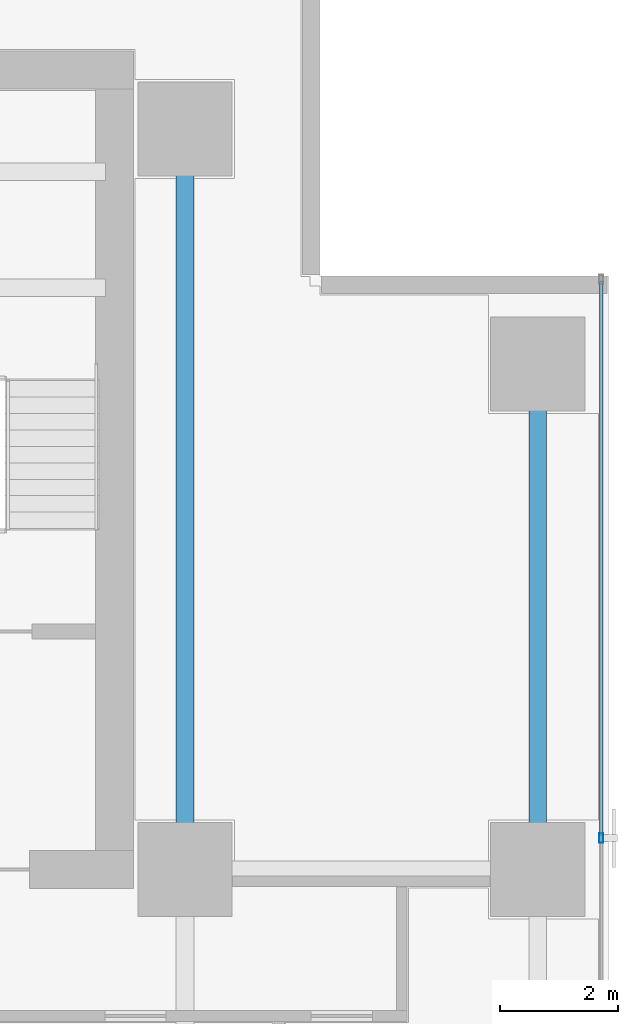
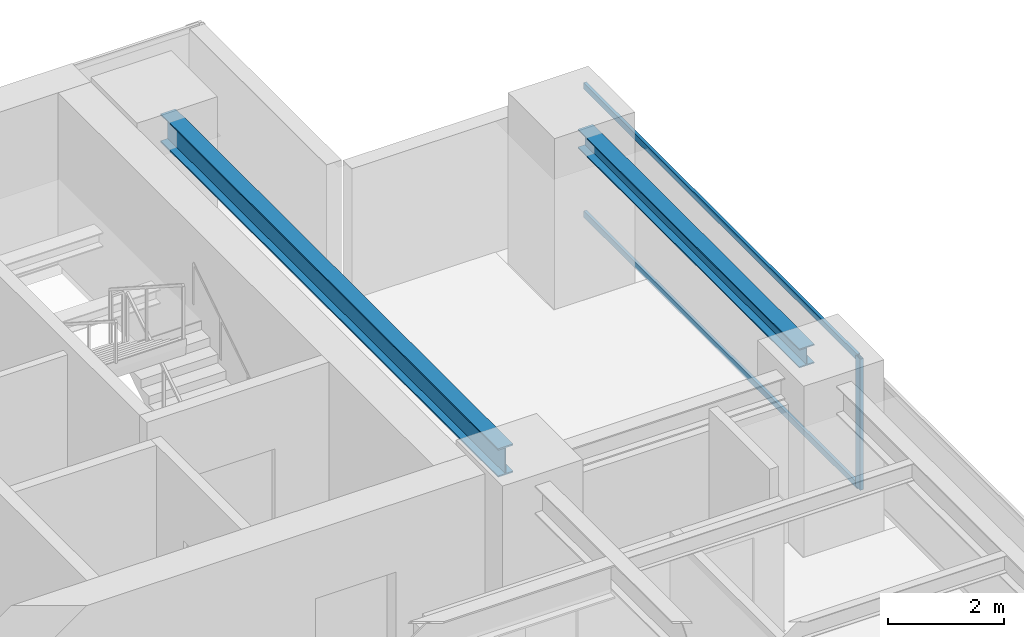
# One storey, part 18 of 28: 3 members, 2 beams, 1 element without a shape of its own.
"""IFC4 building model written with IfcOpenShell, lengths in metres."""

import ifcopenshell
import ifcopenshell.guid

model = None  # the IFC model being written
_history = None  # IfcOwnerHistory: only IFC2X3 demands one
_inside = {}  # id of a spatial element -> (the spatial element, [elements in it])
_under = {}  # id of a project, library or spatial element -> (it, [spatial elements below it])
_declared = {}  # id of a project -> (the project, [libraries it declares])
_typed = {}  # id of a type object -> (the type object, [elements of that type])
_made_of = {}  # id of a material, layer set ... -> (it, [elements and type objects made of it])


def new_model(schema):
    """Start an empty IFC model of exactly this schema.

    Asked for "IFC4X3", IfcOpenShell would pick the latest addendum, in which some entities
    have other attributes; the version numbers below select the first issue.
    IFC2X3 requires an IfcOwnerHistory on every rooted entity: one is made here for all.
    """
    global model, _history
    if schema == "IFC4X3":
        model = ifcopenshell.file(schema_version=(4, 3, 0, 0))
    else:
        model = ifcopenshell.file(schema=schema)
    _inside.clear()
    _under.clear()
    _declared.clear()
    _typed.clear()
    _made_of.clear()
    _history = None
    if model.schema == "IFC2X3":
        org = make("IfcOrganization", Name="unknown")
        user = make(
            "IfcPersonAndOrganization",
            ThePerson=make("IfcPerson", FamilyName="unknown"),
            TheOrganization=org,
        )
        app = make(
            "IfcApplication",
            ApplicationDeveloper=org,
            Version="unknown",
            ApplicationFullName="unknown",
            ApplicationIdentifier="unknown",
        )
        _history = make(
            "IfcOwnerHistory",
            OwningUser=user,
            OwningApplication=app,
            ChangeAction="ADDED",
            CreationDate=0,
        )
    return model


def make(cls, **values):
    """One entity of the class cls with the attributes given. An attribute that is None is left unset."""
    return model.create_entity(
        cls, **{name: value for name, value in values.items() if value is not None}
    )


def rooted(cls, **values):
    """An entity with a GlobalId (a new one), such as an element, a storey or a relation."""
    return make(cls, GlobalId=ifcopenshell.guid.new(), OwnerHistory=_history, **values)


def si_unit(unit_type, name, prefix=None):
    """IfcSIUnit, for example si_unit("LENGTHUNIT", "METRE", prefix="MILLI")."""
    return make("IfcSIUnit", UnitType=unit_type, Prefix=prefix, Name=name)


def assignment(units):
    """IfcUnitAssignment: the units of a project."""
    return None if units is None else make("IfcUnitAssignment", Units=units)


def point(xyz):
    """IfcCartesianPoint."""
    return None if xyz is None else make("IfcCartesianPoint", Coordinates=xyz)


def direction(xyz):
    """IfcDirection."""
    return None if xyz is None else make("IfcDirection", DirectionRatios=xyz)


def frame(location, z_axis=None, x_axis=None):
    """IfcAxis2Placement3D, a coordinate frame: its origin and axes. An axis left out is left unset."""
    return make(
        "IfcAxis2Placement3D",
        Location=point(location),
        Axis=direction(z_axis),
        RefDirection=direction(x_axis),
    )


def frame_2d(location, x_axis=None):
    """IfcAxis2Placement2D, a coordinate frame in the plane: its origin and x axis."""
    return make(
        "IfcAxis2Placement2D", Location=point(location), RefDirection=direction(x_axis)
    )


def origin():
    """The frame at (0, 0, 0) with its axes left unset."""
    return frame((0.0, 0.0, 0.0))


def origin_2d():
    """The frame at (0, 0) in the plane with its x axis left unset."""
    return frame_2d((0.0, 0.0))


def place(relative_to, where):
    """IfcLocalPlacement: puts the frame where relative to a parent placement (None: the world)."""
    return make(
        "IfcLocalPlacement", PlacementRelTo=relative_to, RelativePlacement=where
    )


def context(
    kind, dimensions, precision=None, world=None, true_north=None, identifier=None
):
    """IfcGeometricRepresentationContext, for example the 3D "Model" context."""
    return make(
        "IfcGeometricRepresentationContext",
        ContextIdentifier=identifier,
        ContextType=kind,
        CoordinateSpaceDimension=dimensions,
        Precision=precision,
        WorldCoordinateSystem=world,
        TrueNorth=true_north,
    )


def subcontext(parent, identifier, kind, view, scale=None):
    """IfcGeometricRepresentationSubContext, for example "Body" below "Model"."""
    return make(
        "IfcGeometricRepresentationSubContext",
        ContextIdentifier=identifier,
        ContextType=kind,
        ParentContext=parent,
        TargetScale=scale,
        TargetView=view,
    )


def project(units=None, contexts=None):
    """IfcProject with its units and contexts."""
    return rooted(
        "IfcProject",
        Name="project",
        RepresentationContexts=contexts,
        UnitsInContext=assignment(units),
    )


def spatial(cls, under=None, at=None, **own):
    """A site, building, storey or space (cls), placed at a placement, below another one or the project."""
    s = rooted(cls, ObjectPlacement=at, **own)
    if under is not None:
        _under.setdefault(under.id(), (under, []))[1].append(s)
    return s


def profile(cls, at=None, kind="AREA", **sizes):
    """A parametric profile (cls). Its sizes go by their IFC names, for example OverallWidth=200.0."""
    return make(cls, ProfileType=kind, Position=at, **sizes)


def hollow_rectangle(**sizes):
    """IfcRectangleHollowProfileDef."""
    return profile("IfcRectangleHollowProfileDef", **sizes)


def i_section(**sizes):
    """IfcIShapeProfileDef."""
    return profile("IfcIShapeProfileDef", **sizes)


def extrude(swept, where, along, depth):
    """IfcExtrudedAreaSolid: the profile swept, set in the frame where, extruded along a direction by depth."""
    return make(
        "IfcExtrudedAreaSolid",
        SweptArea=swept,
        Position=where,
        ExtrudedDirection=direction(along),
        Depth=depth,
    )


def shape(context_of_items, identifier, shape_type, items):
    """IfcShapeRepresentation: the items that make up one representation, for example the "Body"."""
    return make(
        "IfcShapeRepresentation",
        ContextOfItems=context_of_items,
        RepresentationIdentifier=identifier,
        RepresentationType=shape_type,
        Items=items,
    )


def source(mapping_origin, context_of_items, identifier, shape_type, items):
    """IfcRepresentationMap: a shape defined once, which mapped items show again and again."""
    return make(
        "IfcRepresentationMap",
        MappingOrigin=mapping_origin,
        MappedRepresentation=shape(context_of_items, identifier, shape_type, items),
    )


def transform(
    local_origin,
    x_axis=None,
    y_axis=None,
    z_axis=None,
    scale=None,
    scale2=None,
    scale3=None,
    uniform=True,
):
    """IfcCartesianTransformationOperator3D, or its non-uniform kind. x_axis, y_axis, z_axis: its Axis1, 2, 3."""
    if uniform:
        return make(
            "IfcCartesianTransformationOperator3D",
            Axis1=direction(x_axis),
            Axis2=direction(y_axis),
            LocalOrigin=point(local_origin),
            Scale=scale,
            Axis3=direction(z_axis),
        )
    return make(
        "IfcCartesianTransformationOperator3DnonUniform",
        Axis1=direction(x_axis),
        Axis2=direction(y_axis),
        LocalOrigin=point(local_origin),
        Scale=scale,
        Axis3=direction(z_axis),
        Scale2=scale2,
        Scale3=scale3,
    )


def mapped(mapping_source, mapping_target):
    """IfcMappedItem: shows the shape of a source again, moved by a transform."""
    return make(
        "IfcMappedItem", MappingSource=mapping_source, MappingTarget=mapping_target
    )


def material(Name=None, Category=None):
    """IfcMaterial."""
    return make("IfcMaterial", Name=Name, Category=Category)


def layer(
    of_material, thickness, ventilated=None, Name=None, Category=None, Priority=None
):
    """IfcMaterialLayer: one layer of a wall or slab, of a material (None: an air gap)."""
    return make(
        "IfcMaterialLayer",
        Material=of_material,
        LayerThickness=thickness,
        IsVentilated=ventilated,
        Name=Name,
        Category=Category,
        Priority=Priority,
    )


def layer_set(layers, Name=None):
    """IfcMaterialLayerSet."""
    return make("IfcMaterialLayerSet", MaterialLayers=layers, LayerSetName=Name)


def material_profile(
    of_material, cross_section, Name=None, Category=None, Priority=None
):
    """IfcMaterialProfile: a cross section and its material."""
    return make(
        "IfcMaterialProfile",
        Name=Name,
        Material=of_material,
        Profile=cross_section,
        Priority=Priority,
        Category=Category,
    )


def profile_set(profiles, Name=None, composite=None):
    """IfcMaterialProfileSet."""
    return make(
        "IfcMaterialProfileSet",
        Name=Name,
        MaterialProfiles=profiles,
        CompositeProfile=composite,
    )


def made_of(thing, what):
    """Note that an element or type object is made of a material, layer set ...; save() writes the relation."""
    if what is not None:
        _made_of.setdefault(what.id(), (what, []))[1].append(thing)
    return thing


def type_object(cls, material=None, **own):
    """A type object (cls), such as IfcWallType, which elements share."""
    return made_of(rooted(cls, **own), material)


def element(
    cls,
    number,
    at=None,
    inside=None,
    cuts=None,
    type_object=None,
    material=None,
    context=None,
    identifier="Body",
    shape_type=None,
    held_by="IfcProductDefinitionShape",
    body=None,
    shapes=None,
    **own,
):
    """One element of the class cls, such as IfcWall. Its Tag is "e" and its number.

    at: its placement. inside: the storey or other place that contains it. cuts: it is an
    opening in that element (IfcRelVoidsElement). A single representation is given by context,
    identifier, shape_type and body (its items); several are given by shapes. held_by: the class
    of the entity that holds the representations. save() writes the other relations.
    """
    e = rooted(cls, Tag="e%d" % number, ObjectPlacement=at, **own)
    if body is not None:
        shapes = [shape(context, identifier, shape_type, body)]
    if shapes is not None:
        e.Representation = make(held_by, Representations=shapes)
    if inside is not None:
        _inside.setdefault(inside.id(), (inside, []))[1].append(e)
    if cuts is not None:
        rooted(
            "IfcRelVoidsElement", RelatingBuildingElement=cuts, RelatedOpeningElement=e
        )
    if type_object is not None:
        _typed.setdefault(type_object.id(), (type_object, []))[1].append(e)
    return made_of(e, material)


def aggregate(whole, parts):
    """IfcRelAggregates: a whole, such as a stair, and the parts it consists of."""
    return rooted("IfcRelAggregates", RelatingObject=whole, RelatedObjects=parts)


def save(model, path):
    """Write the relations noted so far, then the file.

    IfcRelAggregates (storeys below a building ...), IfcRelContainedInSpatialStructure (elements
    in a storey), IfcRelDefinesByType, IfcRelAssociatesMaterial and IfcRelDeclares: one each for
    every whole, place, type object, material and project.
    """
    for whole, parts in _under.values():
        aggregate(whole, parts)
    for where, things in _inside.values():
        rooted(
            "IfcRelContainedInSpatialStructure",
            RelatedElements=things,
            RelatingStructure=where,
        )
    for kind, things in _typed.values():
        rooted("IfcRelDefinesByType", RelatedObjects=things, RelatingType=kind)
    for what, things in _made_of.values():
        rooted("IfcRelAssociatesMaterial", RelatedObjects=things, RelatingMaterial=what)
    for by, libraries in _declared.values():
        rooted("IfcRelDeclares", RelatingContext=by, RelatedDefinitions=libraries)
    model.write(path)


model = new_model("IFC4")

# Units and contexts
model_context = context("Model", 3, precision=1e-05, world=origin(), true_north=direction((0.0, 1.0)))
body_context = subcontext(model_context, "Body", "Model", "MODEL_VIEW")
ifc_project = project(units=[si_unit("LENGTHUNIT", "METRE"), si_unit("AREAUNIT", "SQUARE_METRE"), si_unit("VOLUMEUNIT", "CUBIC_METRE"), si_unit("PLANEANGLEUNIT", "RADIAN"), si_unit("MASSUNIT", "GRAM", prefix="KILO")], contexts=[model_context])

# Site, building, storey
site_placement = place(None, origin())
site = spatial("IfcSite", under=ifc_project, at=site_placement, CompositionType="ELEMENT")
building_placement = place(site_placement, origin())
building = spatial("IfcBuilding", under=site, at=building_placement, Name="Sumidabori Civic Tower", CompositionType="ELEMENT")
storey_placement = place(building_placement, frame((0.0, 0.0, 167.60009765625)))
storey = spatial("IfcBuildingStorey", under=building, at=storey_placement, Name="L43", CompositionType="ELEMENT", Elevation=167.60009765625)

# Beams
ifc_material_1 = material(Name="Steel SN490", Category="steel")
ifc_material_profile_1 = material_profile(ifc_material_1, i_section(OverallWidth=0.300048828125, OverallDepth=0.39990234375, WebThickness=0.013427734375, FlangeThickness=0.02392578125, at=origin_2d()), Name="HE 400 B")
ifc_profile_set_1 = profile_set([ifc_material_profile_1], Name="Steel SN490")
beam_type_1 = type_object("IfcBeamType", Name="BM-GIRD-400", PredefinedType="BEAM", material=ifc_profile_set_1)
shared_shape_1 = source(origin(), body_context, "Body", "SweptSolid", [
    extrude(i_section(OverallWidth=0.300048828125, OverallDepth=0.39990234375, WebThickness=0.013427734375, FlangeThickness=0.02392578125, at=origin_2d()), origin(), (0.0, 0.0, 1.0), 7.64013671875),
])
beam_1_placement = place(storey_placement, frame((22.800048828125, 10.679931640625, 3.179931640625), z_axis=(0.0, 1.0, 0.0), x_axis=(-1.0, 0.0, 0.0)))
element("IfcBeam", 1, at=beam_1_placement, inside=storey, type_object=beam_type_1, Name="Primary Girder L43 GY-38", PredefinedType="BEAM", context=body_context, shape_type="MappedRepresentation", body=[
    mapped(shared_shape_1, transform((0.0, 0.0, 0.0), x_axis=(1.0, 0.0, 0.0), y_axis=(0.0, 1.0, 0.0), z_axis=(0.0, 0.0, 1.0), scale=1.0)),
])
ifc_material_profile_2 = material_profile(ifc_material_1, i_section(OverallWidth=0.300048828125, OverallDepth=0.60009765625, WebThickness=0.015380859375, FlangeThickness=0.030029296875, at=origin_2d()), Name="HE 600 B")
ifc_profile_set_2 = profile_set([ifc_material_profile_2], Name="Steel SN490")
beam_type_2 = type_object("IfcBeamType", Name="BM-GIRD-600", PredefinedType="BEAM", material=ifc_profile_set_2)
shared_shape_2 = source(origin(), body_context, "Body", "SweptSolid", [
    extrude(i_section(OverallWidth=0.300048828125, OverallDepth=0.60009765625, WebThickness=0.015380859375, FlangeThickness=0.030029296875, at=origin_2d()), origin(), (0.0, 0.0, 1.0), 11.64013671875),
])
beam_2_placement = place(storey_placement, frame((16.800048828125, 10.679931640625, 3.079833984375), z_axis=(0.0, 1.0, 0.0), x_axis=(-1.0, 0.0, 0.0)))
element("IfcBeam", 2, at=beam_2_placement, inside=storey, type_object=beam_type_2, Name="Primary Girder L43 GY-35", PredefinedType="BEAM", context=body_context, shape_type="MappedRepresentation", body=[
    mapped(shared_shape_2, transform((0.0, 0.0, 0.0), x_axis=(1.0, 0.0, 0.0), y_axis=(0.0, 1.0, 0.0), z_axis=(0.0, 0.0, 1.0), scale=1.0)),
])

# Curtain wall, members
ifc_material_2 = material(Name="Anodised Bronze Aluminium AW-6063-T6", Category="aluminium")
ifc_layer = layer(ifc_material_2, 0.179931640625, Name="Anodised Bronze Aluminium AW-6063-T6")
ifc_layer_set = layer_set([ifc_layer], Name="Anodised Bronze Aluminium AW-6063-T6")
curtain_wall_type = type_object("IfcCurtainWallType", Name="CW-SYS-3", PredefinedType="NOTDEFINED", material=ifc_layer_set)
curtain_wall_placement = place(storey_placement, origin())
curtain_wall = element("IfcCurtainWall", 3, at=curtain_wall_placement, inside=storey, type_object=curtain_wall_type, Name="Curtain Wall CW:L43:R04", PredefinedType="NOTDEFINED")
ifc_material_profile_3 = material_profile(ifc_material_2, hollow_rectangle(XDim=0.06494140625, YDim=0.159912109375, WallThickness=0.0048828125, at=origin_2d()), Name="ALU MULLION 160x65")
ifc_profile_set_3 = profile_set([ifc_material_profile_3], Name="Anodised Bronze Aluminium AW-6063-T6")
member_type_1 = type_object("IfcMemberType", Name="CW-MUL-160", PredefinedType="MULLION", material=ifc_profile_set_3)
shared_shape_3 = source(origin(), body_context, "Body", "SweptSolid", [
    extrude(hollow_rectangle(XDim=0.06494140625, YDim=0.159912109375, WallThickness=0.0048828125, at=origin_2d()), origin(), (0.0, 0.0, 1.0), 2.760009765625),
])
member_1_placement = place(storey_placement, frame((23.8798828125, 10.735107421875, 0.0), z_axis=(0.0, 0.0, 1.0), x_axis=(-1.0, 0.0, 0.0)))
member_1 = element("IfcMember", 4, at=member_1_placement, type_object=member_type_1, Name="CW-3 mullion 4", PredefinedType="MULLION", context=body_context, shape_type="MappedRepresentation", body=[
    mapped(shared_shape_3, transform((0.0, 0.0, 0.0), x_axis=(1.0, 0.0, 0.0), y_axis=(0.0, 1.0, 0.0), z_axis=(0.0, 0.0, 1.0), scale=1.0)),
])
ifc_material_profile_4 = material_profile(ifc_material_2, hollow_rectangle(XDim=0.06005859375, YDim=0.1298828125, WallThickness=0.0048828125, at=origin_2d()), Name="ALU TRANSOM 130x60")
ifc_profile_set_4 = profile_set([ifc_material_profile_4], Name="Anodised Bronze Aluminium AW-6063-T6")
member_type_2 = type_object("IfcMemberType", Name="CW-TRN-130", PredefinedType="USERDEFINED", material=ifc_profile_set_4)
shared_shape_4 = source(origin(), body_context, "Body", "SweptSolid", [
    extrude(hollow_rectangle(XDim=0.06005859375, YDim=0.1298828125, WallThickness=0.0048828125, at=origin_2d()), origin(), (0.0, 0.0, 1.0), 9.4375),
])
member_2_placement = place(storey_placement, frame((23.8798828125, 10.767578125, 0.02978515625), z_axis=(0.0, 1.0, 0.0), x_axis=(-1.0, 0.0, 0.0)))
member_2 = element("IfcMember", 5, at=member_2_placement, type_object=member_type_2, Name="CW-3 transom 4.1", ObjectType="TRANSOM", PredefinedType="USERDEFINED", context=body_context, shape_type="MappedRepresentation", body=[
    mapped(shared_shape_4, transform((0.0, 0.0, 0.0), x_axis=(1.0, 0.0, 0.0), y_axis=(0.0, 1.0, 0.0), z_axis=(0.0, 0.0, 1.0), scale=1.0)),
])
member_3_placement = place(storey_placement, frame((23.8798828125, 10.767578125, 2.72998046875), z_axis=(0.0, 1.0, 0.0), x_axis=(-1.0, 0.0, 0.0)))
member_3 = element("IfcMember", 6, at=member_3_placement, type_object=member_type_2, Name="CW-3 transom 4.2", ObjectType="TRANSOM", PredefinedType="USERDEFINED", context=body_context, shape_type="MappedRepresentation", body=[
    mapped(shared_shape_4, transform((0.0, 0.0, 0.0), x_axis=(1.0, 0.0, 0.0), y_axis=(0.0, 1.0, 0.0), z_axis=(0.0, 0.0, 1.0), scale=1.0)),
])
aggregate(curtain_wall, [member_1, member_2, member_3])

save(model, "model.ifc")
